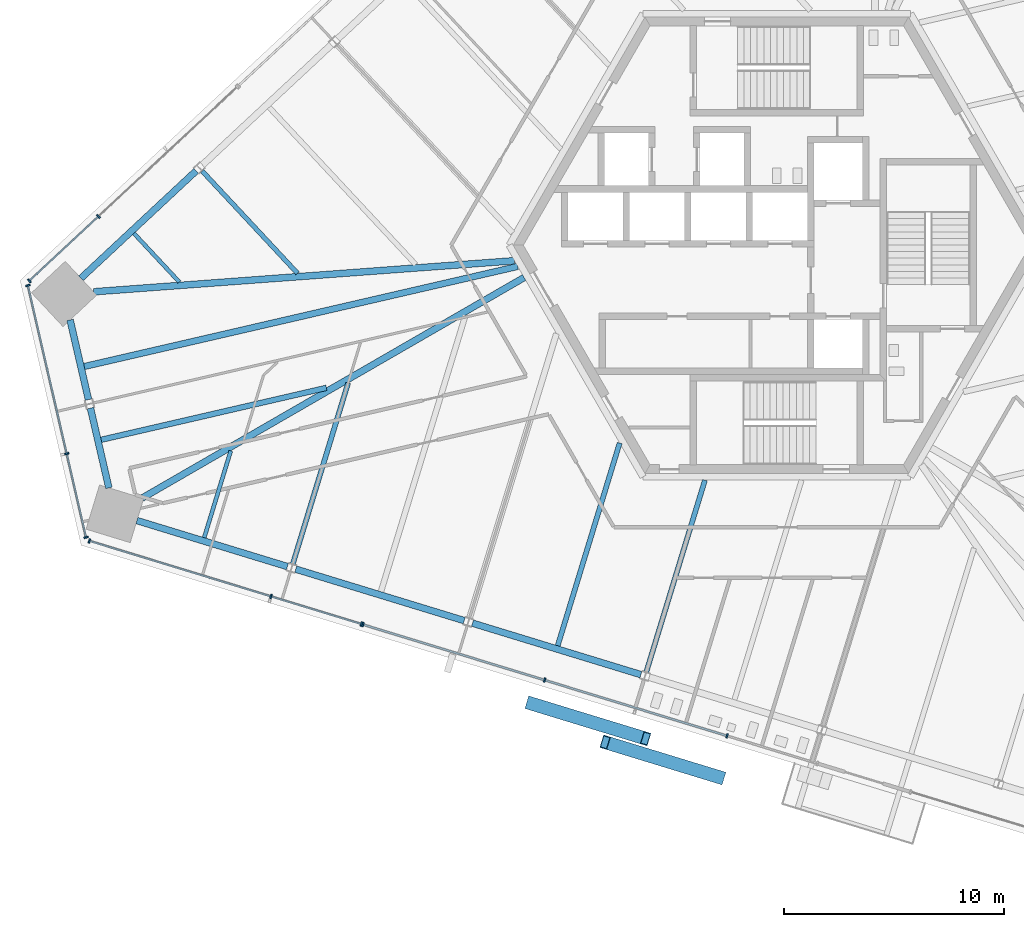
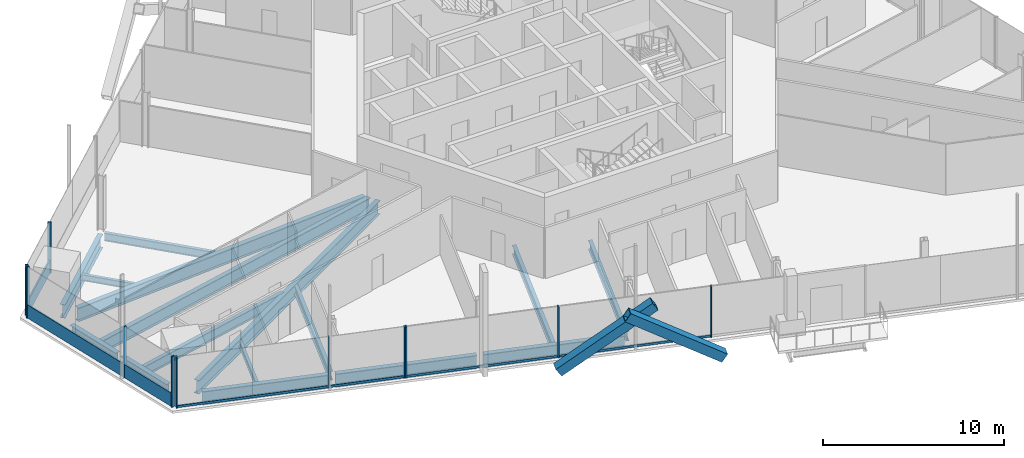
# One storey, part 4 of 24: 20 members, 16 beams, 4 elements without a shape of their own.
"""IFC4 building model written with IfcOpenShell, lengths in metres."""

from ifc_helpers import new_model, si_unit, direction, frame, origin, origin_2d, place, context, subcontext, project, spatial, rectangle, hollow_rectangle, i_section, extrude, source, transform, mapped, material, material_profile, profile_set, type_object, element, aggregate, save


model = new_model("IFC4")

# Units and contexts
model_context = context("Model", 3, precision=1e-05, world=origin(), true_north=direction((0.0, 1.0)))
body_context = subcontext(model_context, "Body", "Model", "MODEL_VIEW")
ifc_project = project(units=[si_unit("LENGTHUNIT", "METRE"), si_unit("AREAUNIT", "SQUARE_METRE"), si_unit("VOLUMEUNIT", "CUBIC_METRE"), si_unit("PLANEANGLEUNIT", "RADIAN"), si_unit("MASSUNIT", "GRAM", prefix="KILO")], contexts=[model_context])

# Site, building, storey
site_placement = place(None, origin())
site = spatial("IfcSite", under=ifc_project, at=site_placement, CompositionType="ELEMENT")
building_placement = place(site_placement, origin())
building = spatial("IfcBuilding", under=site, at=building_placement, Name="Triune Harvest Tower", CompositionType="ELEMENT")
storey_placement = place(building_placement, frame((0.0, 0.0, 112.699951171875)))
storey = spatial("IfcBuildingStorey", under=building, at=storey_placement, Name="L28", CompositionType="ELEMENT", Elevation=112.699951171875)

# Beams
ifc_material_1 = material(Name="Steel ASTM A992 Gr 50", Category="steel")
ifc_material_profile_1 = material_profile(ifc_material_1, i_section(OverallWidth=0.3046875, OverallDepth=0.914306640625, WebThickness=0.0166015625, FlangeThickness=0.02587890625, at=origin_2d()), Name="W36x160")
ifc_profile_set_1 = profile_set([ifc_material_profile_1], Name="Steel ASTM A992 Gr 50")
beam_type_1 = type_object("IfcBeamType", Name="SB-1 Spandrel beam W36x160", PredefinedType="SPANDREL", material=ifc_profile_set_1)
shared_shape_1 = source(origin(), body_context, "Body", "SweptSolid", [
    extrude(i_section(OverallWidth=0.3046875, OverallDepth=0.914306640625, WebThickness=0.0166015625, FlangeThickness=0.02587890625, at=origin_2d()), origin(), (0.0, 0.0, 1.0), 8.018310546875),
])
beam_1_placement = place(storey_placement, frame((-21.8994140625, -14.747314453125, -0.6171875), z_axis=(0.956308069579, -0.292360866152, 0.0), x_axis=(0.292360866152, 0.956308069579, 0.0)))
element("IfcBeam", 1, at=beam_1_placement, inside=storey, type_object=beam_type_1, Name="beam/L28/SB18", PredefinedType="SPANDREL", context=body_context, shape_type="MappedRepresentation", body=[
    mapped(shared_shape_1, transform((0.0, 0.0, 0.0), scale=1.0)),
])
shared_shape_2 = source(origin(), body_context, "Body", "SweptSolid", [
    extrude(i_section(OverallWidth=0.3046875, OverallDepth=0.914306640625, WebThickness=0.0166015625, FlangeThickness=0.02587890625, at=origin_2d()), origin(), (0.0, 0.0, 1.0), 8.01806640625),
])
beam_2_placement = place(storey_placement, frame((-13.8525390625, -17.207275390625, -0.6171875), z_axis=(0.956305466934, -0.292369379231, 0.0), x_axis=(0.292369379231, 0.956305466934, 0.0)))
element("IfcBeam", 2, at=beam_2_placement, inside=storey, type_object=beam_type_1, Name="beam/L28/SB19", PredefinedType="SPANDREL", context=body_context, shape_type="MappedRepresentation", body=[
    mapped(shared_shape_2, transform((0.0, 0.0, 0.0), scale=1.0)),
])
shared_shape_3 = source(origin(), body_context, "Body", "SweptSolid", [
    extrude(i_section(OverallWidth=0.3046875, OverallDepth=0.914306640625, WebThickness=0.0166015625, FlangeThickness=0.02587890625, at=origin_2d()), origin(), (0.0, 0.0, 1.0), 7.16650390625),
])
for number, where, z_axis, x_axis, name in (
    (3, (-26.4375, 3.384521484375, -0.6171875), (-0.731357675554, -0.681994098515, 0.0), (0.681994098515, -0.731357675554, 0.0), "beam/L28/SB14"),
    (4, (-29.131591796875, -12.5361328125, -0.6171875), (0.956306336732, -0.292366534211, 0.0), (0.292366534211, 0.956306336732, 0.0), "beam/L28/SB17"),
):
    element("IfcBeam", number, at=place(storey_placement, frame(where, z_axis=z_axis, x_axis=x_axis)), inside=storey, type_object=beam_type_1, Name=name, PredefinedType="SPANDREL", context=body_context, shape_type="MappedRepresentation", body=[
        mapped(shared_shape_3, transform((0.0, 0.0, 0.0), scale=1.0)),
    ])
shared_shape_4 = source(origin(), body_context, "Body", "SweptSolid", [
    extrude(i_section(OverallWidth=0.3046875, OverallDepth=0.914306640625, WebThickness=0.0166015625, FlangeThickness=0.02587890625, at=origin_2d()), origin(), (0.0, 0.0, 1.0), 3.72607421875),
])
for number, where, z_axis, x_axis, name in (
    (5, (-32.173828125, -3.400390625, -0.6171875), (0.224936070713, -0.974373523908, 0.0), (0.974373523908, 0.224936070713, 0.0), "beam/L28/SB15"),
    (6, (-31.24658203125, -7.4169921875, -0.6171875), (0.224998275907, -0.974359161623, 0.0), (0.974359161623, 0.224998275907, 0.0), "beam/L28/SB16"),
):
    element("IfcBeam", number, at=place(storey_placement, frame(where, z_axis=z_axis, x_axis=x_axis)), inside=storey, type_object=beam_type_1, Name=name, PredefinedType="SPANDREL", context=body_context, shape_type="MappedRepresentation", body=[
        mapped(shared_shape_4, transform((0.0, 0.0, 0.0), scale=1.0)),
    ])
ifc_material_2 = material(Name="Steel ASTM A992 Gr 50", Category="steel")
ifc_material_profile_2 = material_profile(ifc_material_2, i_section(OverallWidth=0.307373046875, OverallDepth=0.922119140625, WebThickness=0.018310546875, FlangeThickness=0.030029296875, at=origin_2d()), Name="W36x182")
ifc_profile_set_2 = profile_set([ifc_material_profile_2], Name="Steel ASTM A992 Gr 50")
beam_type_2 = type_object("IfcBeamType", Name="HG-2 Hip girder W36x182", PredefinedType="BEAM", material=ifc_profile_set_2)
shared_shape_5 = source(origin(), body_context, "Body", "SweptSolid", [
    extrude(i_section(OverallWidth=0.307373046875, OverallDepth=0.922119140625, WebThickness=0.018310546875, FlangeThickness=0.030029296875, at=origin_2d()), origin(), (0.0, 0.0, 1.0), 19.2109375),
])
beam_3_placement = place(storey_placement, frame((-31.103515625, -2.119873046875, -0.620849609375), z_axis=(0.997285410262, 0.07363294425, 0.0), x_axis=(-0.07363294425, 0.997285410262, 0.0)))
element("IfcBeam", 7, at=beam_3_placement, inside=storey, type_object=beam_type_2, Name="beam/L28/HG5", PredefinedType="BEAM", context=body_context, shape_type="MappedRepresentation", body=[
    mapped(shared_shape_5, transform((0.0, 0.0, 0.0), scale=1.0)),
])
shared_shape_6 = source(origin(), body_context, "Body", "SweptSolid", [
    extrude(i_section(OverallWidth=0.307373046875, OverallDepth=0.922119140625, WebThickness=0.018310546875, FlangeThickness=0.030029296875, at=origin_2d()), origin(), (0.0, 0.0, 1.0), 20.080078125),
])
beam_4_placement = place(storey_placement, frame((-28.892333984375, -11.51123046875, -0.620849609375), z_axis=(0.866025837197, 0.499999249307, 0.0), x_axis=(-0.499999249307, 0.866025837197, 0.0)))
element("IfcBeam", 8, at=beam_4_placement, inside=storey, type_object=beam_type_2, Name="beam/L28/HG6", PredefinedType="BEAM", context=body_context, shape_type="MappedRepresentation", body=[
    mapped(shared_shape_6, transform((0.0, 0.0, 0.0), scale=1.0)),
])
ifc_material_3 = material(Name="Steel ASTM A992 Gr 50", Category="steel")
ifc_material_profile_3 = material_profile(ifc_material_3, i_section(OverallWidth=0.22900390625, OverallDepth=0.612060546875, WebThickness=0.011962890625, FlangeThickness=0.01953125, at=origin_2d()), Name="W24x84")
ifc_profile_set_3 = profile_set([ifc_material_profile_3], Name="Steel ASTM A992 Gr 50")
beam_type_3 = type_object("IfcBeamType", Name="JT-3 Floor joist W24x84", PredefinedType="JOIST", material=ifc_profile_set_3)
shared_shape_7 = source(origin(), body_context, "Body", "SweptSolid", [
    extrude(i_section(OverallWidth=0.22900390625, OverallDepth=0.612060546875, WebThickness=0.011962890625, FlangeThickness=0.01953125, at=origin_2d()), origin(), (0.0, 0.0, 1.0), 9.129150390625),
])
beam_5_placement = place(storey_placement, frame((-5.939453125, -19.42724609375, -0.466064453125), z_axis=(0.292356457167, 0.956309417476, 0.0), x_axis=(-0.956309417476, 0.292356457167, 0.0)))
element("IfcBeam", 9, at=beam_5_placement, inside=storey, type_object=beam_type_3, Name="beam/L28/JT32", PredefinedType="JOIST", context=body_context, shape_type="MappedRepresentation", body=[
    mapped(shared_shape_7, transform((0.0, 0.0, 0.0), scale=1.0)),
])
ifc_material_4 = material(Name="Steel ASTM A992 Gr 50", Category="steel")
ifc_material_profile_4 = material_profile(ifc_material_4, i_section(OverallWidth=0.180908203125, OverallDepth=0.41650390625, WebThickness=0.010986328125, FlangeThickness=0.01806640625, at=origin_2d()), Name="W16x57")
ifc_profile_set_4 = profile_set([ifc_material_profile_4], Name="Steel ASTM A992 Gr 50")
beam_type_4 = type_object("IfcBeamType", Name="JT-1 Floor joist W16x57", PredefinedType="JOIST", material=ifc_profile_set_4)
shared_shape_8 = source(origin(), body_context, "Body", "SweptSolid", [
    extrude(i_section(OverallWidth=0.180908203125, OverallDepth=0.41650390625, WebThickness=0.010986328125, FlangeThickness=0.01806640625, at=origin_2d()), origin(), (0.0, 0.0, 1.0), 3.0302734375),
])
beam_6_placement = place(storey_placement, frame((-29.265625, 0.538818359375, -0.3681640625), z_axis=(0.681982331581, -0.731368648091, 0.0), x_axis=(0.731368648091, 0.681982331581, 0.0)))
element("IfcBeam", 10, at=beam_6_placement, inside=storey, type_object=beam_type_4, Name="beam/L28/JT24", PredefinedType="JOIST", context=body_context, shape_type="MappedRepresentation", body=[
    mapped(shared_shape_8, transform((0.0, 0.0, 0.0), scale=1.0)),
])
shared_shape_9 = source(origin(), body_context, "Body", "SweptSolid", [
    extrude(i_section(OverallWidth=0.180908203125, OverallDepth=0.41650390625, WebThickness=0.010986328125, FlangeThickness=0.01806640625, at=origin_2d()), origin(), (0.0, 0.0, 1.0), 4.134033203125),
])
beam_7_placement = place(storey_placement, frame((-26.067626953125, -13.3134765625, -0.3681640625), z_axis=(0.29238807321, 0.956299751461, 0.0), x_axis=(-0.956299751461, 0.29238807321, 0.0)))
element("IfcBeam", 11, at=beam_7_placement, inside=storey, type_object=beam_type_4, Name="beam/L28/JT27", PredefinedType="JOIST", context=body_context, shape_type="MappedRepresentation", body=[
    mapped(shared_shape_9, transform((0.0, 0.0, 0.0), scale=1.0)),
])
shared_shape_10 = source(origin(), body_context, "Body", "SweptSolid", [
    extrude(i_section(OverallWidth=0.22900390625, OverallDepth=0.612060546875, WebThickness=0.011962890625, FlangeThickness=0.01953125, at=origin_2d()), origin(), (0.0, 0.0, 1.0), 8.607666015625),
])
beam_8_placement = place(storey_placement, frame((-22.033203125, -14.507080078125, -0.466064453125), z_axis=(0.29237129862, 0.956304880121, 0.0), x_axis=(-0.956304880121, 0.29237129862, 0.0)))
element("IfcBeam", 12, at=beam_8_placement, inside=storey, type_object=beam_type_3, Name="beam/L28/JT28", PredefinedType="JOIST", context=body_context, shape_type="MappedRepresentation", body=[
    mapped(shared_shape_10, transform((0.0, 0.0, 0.0), scale=1.0)),
])
shared_shape_11 = source(origin(), body_context, "Body", "SweptSolid", [
    extrude(i_section(OverallWidth=0.22900390625, OverallDepth=0.612060546875, WebThickness=0.011962890625, FlangeThickness=0.01953125, at=origin_2d()), origin(), (0.0, 0.0, 1.0), 9.64990234375),
])
beam_9_placement = place(storey_placement, frame((-9.97412109375, -18.233642578125, -0.466064453125), z_axis=(0.292387575984, 0.956299903488, 0.0), x_axis=(-0.956299903488, 0.292387575984, 0.0)))
element("IfcBeam", 13, at=beam_9_placement, inside=storey, type_object=beam_type_3, Name="beam/L28/JT31", PredefinedType="JOIST", context=body_context, shape_type="MappedRepresentation", body=[
    mapped(shared_shape_11, transform((0.0, 0.0, 0.0), scale=1.0)),
])
ifc_material_5 = material(Name="Steel ASTM A992 Gr 50", Category="steel")
ifc_material_profile_5 = material_profile(ifc_material_5, i_section(OverallWidth=0.2099609375, OverallDepth=0.535888671875, WebThickness=0.010986328125, FlangeThickness=0.017333984375, at=origin_2d()), Name="W21x68")
ifc_profile_set_5 = profile_set([ifc_material_profile_5], Name="Steel ASTM A992 Gr 50")
beam_type_5 = type_object("IfcBeamType", Name="JT-2 Floor joist W21x68", PredefinedType="JOIST", material=ifc_profile_set_5)
shared_shape_12 = source(origin(), body_context, "Body", "SweptSolid", [
    extrude(i_section(OverallWidth=0.2099609375, OverallDepth=0.535888671875, WebThickness=0.010986328125, FlangeThickness=0.017333984375, at=origin_2d()), origin(), (0.0, 0.0, 1.0), 6.3720703125),
])
beam_10_placement = place(storey_placement, frame((-26.16259765625, 3.380126953125, -0.427978515625), z_axis=(0.682001475832, -0.731350796105, 0.0), x_axis=(0.731350796105, 0.682001475832, 0.0)))
element("IfcBeam", 14, at=beam_10_placement, inside=storey, type_object=beam_type_5, Name="beam/L28/JT23", PredefinedType="JOIST", context=body_context, shape_type="MappedRepresentation", body=[
    mapped(shared_shape_12, transform((0.0, 0.0, 0.0), scale=1.0)),
])
ifc_material_6 = material(Name="Steel ASTM A992 Gr 50", Category="steel")
ifc_material_profile_6 = material_profile(ifc_material_6, i_section(OverallWidth=0.2919921875, OverallDepth=0.8583984375, WebThickness=0.01708984375, FlangeThickness=0.031005859375, at=origin_2d()), Name="W33x169")
ifc_profile_set_6 = profile_set([ifc_material_profile_6], Name="Steel ASTM A992 Gr 50")
beam_type_6 = type_object("IfcBeamType", Name="JT-7 Floor joist W33x169", PredefinedType="JOIST", material=ifc_profile_set_6)
shared_shape_13 = source(origin(), body_context, "Body", "SweptSolid", [
    extrude(i_section(OverallWidth=0.2919921875, OverallDepth=0.8583984375, WebThickness=0.01708984375, FlangeThickness=0.031005859375, at=origin_2d()), origin(), (0.0, 0.0, 1.0), 20.25244140625),
])
beam_11_placement = place(storey_placement, frame((-31.52783203125, -5.521484375, -0.58935546875), z_axis=(0.974371687507, 0.224944025448, 0.0), x_axis=(-0.224944025448, 0.974371687507, 0.0)))
element("IfcBeam", 15, at=beam_11_placement, inside=storey, type_object=beam_type_6, Name="beam/L28/JT25", PredefinedType="JOIST", context=body_context, shape_type="MappedRepresentation", body=[
    mapped(shared_shape_13, transform((0.0, 0.0, 0.0), scale=1.0)),
])
ifc_material_7 = material(Name="Steel ASTM A992 Gr 50", Category="steel")
ifc_material_profile_7 = material_profile(ifc_material_7, i_section(OverallWidth=0.253662109375, OverallDepth=0.683349609375, WebThickness=0.012451171875, FlangeThickness=0.01904296875, at=origin_2d()), Name="W27x94")
ifc_profile_set_7 = profile_set([ifc_material_profile_7], Name="Steel ASTM A992 Gr 50")
beam_type_7 = type_object("IfcBeamType", Name="JT-4 Floor joist W27x94", PredefinedType="JOIST", material=ifc_profile_set_7)
shared_shape_14 = source(origin(), body_context, "Body", "SweptSolid", [
    extrude(i_section(OverallWidth=0.253662109375, OverallDepth=0.683349609375, WebThickness=0.012451171875, FlangeThickness=0.01904296875, at=origin_2d()), origin(), (0.0, 0.0, 1.0), 10.52294921875),
])
beam_12_placement = place(storey_placement, frame((-30.75732421875, -8.858154296875, -0.50146484375), z_axis=(0.974368902387, 0.224956089186, 0.0), x_axis=(-0.224956089186, 0.974368902387, 0.0)))
element("IfcBeam", 16, at=beam_12_placement, inside=storey, type_object=beam_type_7, Name="beam/L28/JT26", PredefinedType="JOIST", context=body_context, shape_type="MappedRepresentation", body=[
    mapped(shared_shape_14, transform((0.0, 0.0, 0.0), scale=1.0)),
])

# Members
ifc_material_8 = material(Name="Steel ASTM A572 Gr 50", Category="steel")
ifc_material_profile_8 = material_profile(ifc_material_8, hollow_rectangle(XDim=0.60009765625, YDim=0.60009765625, WallThickness=0.0400390625, at=origin_2d()), Name="Box 600x600x40")
ifc_profile_set_8 = profile_set([ifc_material_profile_8], Name="Steel ASTM A572 Gr 50")
member_type_1 = type_object("IfcMemberType", Name="BR-2 Brace Box 600x600x40", PredefinedType="BRACE", material=ifc_profile_set_8)
shared_shape_15 = source(origin(), body_context, "Body", "SweptSolid", [
    extrude(hollow_rectangle(XDim=0.60009765625, YDim=0.60009765625, WallThickness=0.0400390625, at=origin_2d()), origin(), (0.0, 0.0, 1.0), 6.56640625),
])
for number, where, z_axis, x_axis, name in (
    (17, (-11.22216796875, -20.8544921875, 0.0), (0.799775179898, -0.244494518293, 0.548253674993), (0.292348421026, 0.956311874193, 0.0), "brace/B3-F5/d1/5"),
    (18, (-2.562744140625, -24.23388671875, 0.0), (-0.799775179898, 0.244494518293, 0.548253674993), (-0.292348421026, -0.956311874193, 0.0), "brace/B3-F5/d2/5"),
):
    element("IfcMember", number, at=place(storey_placement, frame(where, z_axis=z_axis, x_axis=x_axis)), inside=storey, type_object=member_type_1, Name=name, PredefinedType="BRACE", context=body_context, shape_type="MappedRepresentation", body=[
        mapped(shared_shape_15, transform((0.0, 0.0, 0.0), scale=1.0)),
    ])

# Curtain wall, members
ifc_material_9 = material(Name="Aluminium bronze anodised", Category="aluminium")
curtain_wall_type_1 = type_object("IfcCurtainWallType", Name="CW-1 Tower stick curtain wall", PredefinedType="NOTDEFINED", material=ifc_material_9)
curtain_wall_1_placement = place(storey_placement, origin())
curtain_wall_1 = element("IfcCurtainWall", 19, at=curtain_wall_1_placement, inside=storey, type_object=curtain_wall_type_1, Name="CW-1 B3-F3 L28 run 2001")
ifc_material_10 = material(Name="Aluminium bronze anodised", Category="aluminium")
ifc_material_profile_9 = material_profile(ifc_material_10, rectangle(XDim=0.199951171875, YDim=0.074951171875, at=origin_2d()), Name="MU-1 mullion 75 x 200")
ifc_profile_set_9 = profile_set([ifc_material_profile_9], Name="Aluminium bronze anodised")
member_type_2 = type_object("IfcMemberType", Name="MU-1 mullion 75 x 200", PredefinedType="MULLION", material=ifc_profile_set_9)
shared_shape_16 = source(origin(), body_context, "Body", "SweptSolid", [
    extrude(rectangle(XDim=0.199951171875, YDim=0.074951171875, at=origin_2d()), origin(), (0.0, 0.0, 1.0), 3.43994140625),
])
member_1_placement = place(storey_placement, frame((-30.884765625, 1.313720703125, 0.0), z_axis=(0.0, 0.0, 1.0), x_axis=(0.681998456537, -0.731353611655, 0.0)))
member_1 = element("IfcMember", 20, at=member_1_placement, type_object=member_type_2, Name="CW-1 mullion B3-F3 2001.3", PredefinedType="MULLION", context=body_context, shape_type="MappedRepresentation", body=[
    mapped(shared_shape_16, transform((0.0, 0.0, 0.0), scale=1.0)),
])
member_2_placement = place(storey_placement, frame((-34.0302734375, -1.619384765625, 0.0), z_axis=(0.0, 0.0, 1.0), x_axis=(0.681998456537, -0.731353611655, 0.0)))
member_2 = element("IfcMember", 21, at=member_2_placement, type_object=member_type_2, Name="CW-1 mullion B3-F3 2001.4", PredefinedType="MULLION", context=body_context, shape_type="MappedRepresentation", body=[
    mapped(shared_shape_16, transform((0.0, 0.0, 0.0), scale=1.0)),
])

curtain_wall_2_placement = place(storey_placement, origin())
curtain_wall_2 = element("IfcCurtainWall", 22, at=curtain_wall_2_placement, inside=storey, type_object=curtain_wall_type_1, Name="CW-1 B3-F4 L28 run 1")
member_3_placement = place(storey_placement, frame((-34.0947265625, -1.83056640625, 0.0), z_axis=(0.0, 0.0, 1.0), x_axis=(0.974371012181, 0.224946950683, 0.0)))
member_3 = element("IfcMember", 23, at=member_3_placement, type_object=member_type_2, Name="CW-1 mullion B3-F4 1.1", PredefinedType="MULLION", context=body_context, shape_type="MappedRepresentation", body=[
    mapped(shared_shape_16, transform((0.0, 0.0, 0.0), scale=1.0)),
])
member_4_placement = place(storey_placement, frame((-32.32666015625, -9.489501953125, 0.0), z_axis=(0.0, 0.0, 1.0), x_axis=(0.974371012181, 0.224946950683, 0.0)))
member_4 = element("IfcMember", 24, at=member_4_placement, type_object=member_type_2, Name="CW-1 mullion B3-F4 1.3", PredefinedType="MULLION", context=body_context, shape_type="MappedRepresentation", body=[
    mapped(shared_shape_16, transform((0.0, 0.0, 0.0), scale=1.0)),
])
member_5_placement = place(storey_placement, frame((-31.44677734375, -13.30078125, 0.0), z_axis=(0.0, 0.0, 1.0), x_axis=(0.974371012181, 0.224946950683, 0.0)))
member_5 = element("IfcMember", 25, at=member_5_placement, type_object=member_type_2, Name="CW-1 mullion B3-F4 1.4", PredefinedType="MULLION", context=body_context, shape_type="MappedRepresentation", body=[
    mapped(shared_shape_16, transform((0.0, 0.0, 0.0), scale=1.0)),
])

ifc_material_11 = material(Name="Aluminium bronze anodised", Category="aluminium")
curtain_wall_type_2 = type_object("IfcCurtainWallType", Name="CW-6 Balcony window wall", PredefinedType="NOTDEFINED", material=ifc_material_11)
curtain_wall_3_placement = place(storey_placement, origin())
curtain_wall_3 = element("IfcCurtainWall", 26, at=curtain_wall_3_placement, inside=storey, type_object=curtain_wall_type_2, Name="CW-6 B3-F5 L28 run 1")
ifc_material_12 = material(Name="Aluminium bronze anodised", Category="aluminium")
ifc_material_profile_10 = material_profile(ifc_material_12, rectangle(XDim=0.199951171875, YDim=0.074951171875, at=origin_2d()), Name="MU-6 mullion 75 x 200")
ifc_profile_set_10 = profile_set([ifc_material_profile_10], Name="Aluminium bronze anodised")
member_type_3 = type_object("IfcMemberType", Name="MU-6 mullion 75 x 200", PredefinedType="MULLION", material=ifc_profile_set_10)
shared_shape_17 = source(origin(), body_context, "Body", "SweptSolid", [
    extrude(rectangle(XDim=0.199951171875, YDim=0.074951171875, at=origin_2d()), origin(), (0.0, 0.0, 1.0), 3.43994140625),
])
member_6_placement = place(storey_placement, frame((-31.296142578125, -13.462158203125, 0.0), z_axis=(0.0, 0.0, 1.0), x_axis=(0.292375829067, 0.956303495015, 0.0)))
member_6 = element("IfcMember", 27, at=member_6_placement, type_object=member_type_3, Name="CW-6 mullion B3-F5 1.1", PredefinedType="MULLION", context=body_context, shape_type="MappedRepresentation", body=[
    mapped(shared_shape_17, transform((0.0, 0.0, 0.0), scale=1.0)),
])
member_7_placement = place(storey_placement, frame((-23.02734375, -15.990478515625, 0.0), z_axis=(0.0, 0.0, 1.0), x_axis=(0.292375829067, 0.956303495015, 0.0)))
member_7 = element("IfcMember", 28, at=member_7_placement, type_object=member_type_3, Name="CW-6 mullion B3-F5 1.3", PredefinedType="MULLION", context=body_context, shape_type="MappedRepresentation", body=[
    mapped(shared_shape_17, transform((0.0, 0.0, 0.0), scale=1.0)),
])
member_8_placement = place(storey_placement, frame((-18.91064453125, -17.2490234375, 0.0), z_axis=(0.0, 0.0, 1.0), x_axis=(0.292375829067, 0.956303495015, 0.0)))
member_8 = element("IfcMember", 29, at=member_8_placement, type_object=member_type_3, Name="CW-6 mullion B3-F5 1.4", PredefinedType="MULLION", context=body_context, shape_type="MappedRepresentation", body=[
    mapped(shared_shape_17, transform((0.0, 0.0, 0.0), scale=1.0)),
])

ifc_material_13 = material(Name="Aluminium bronze anodised", Category="aluminium")
curtain_wall_type_3 = type_object("IfcCurtainWallType", Name="CW-10 Balcony window wall with insulated spandrel infill", PredefinedType="NOTDEFINED", material=ifc_material_13)
curtain_wall_4_placement = place(storey_placement, origin())
curtain_wall_4 = element("IfcCurtainWall", 30, at=curtain_wall_4_placement, inside=storey, type_object=curtain_wall_type_3, Name="CW-10 B3-F5 L28 run 1001")
member_9_placement = place(storey_placement, frame((-18.839111328125, -17.270751953125, 0.0), z_axis=(0.0, 0.0, 1.0), x_axis=(0.292371984425, 0.956304670449, 0.0)))
member_9 = element("IfcMember", 31, at=member_9_placement, type_object=member_type_3, Name="CW-10 mullion B3-F5 1001.1", PredefinedType="MULLION", context=body_context, shape_type="MappedRepresentation", body=[
    mapped(shared_shape_17, transform((0.0, 0.0, 0.0), scale=1.0)),
])
member_10_placement = place(storey_placement, frame((-10.570068359375, -19.798828125, 0.0), z_axis=(0.0, 0.0, 1.0), x_axis=(0.292371984425, 0.956304670449, 0.0)))
member_10 = element("IfcMember", 32, at=member_10_placement, type_object=member_type_3, Name="CW-10 mullion B3-F5 1001.3", PredefinedType="MULLION", context=body_context, shape_type="MappedRepresentation", body=[
    mapped(shared_shape_17, transform((0.0, 0.0, 0.0), scale=1.0)),
])
member_11_placement = place(storey_placement, frame((-2.265380859375, -22.337890625, 0.0), z_axis=(0.0, 0.0, 1.0), x_axis=(0.292371984425, 0.956304670449, 0.0)))
member_11 = element("IfcMember", 33, at=member_11_placement, type_object=member_type_3, Name="CW-10 mullion B3-F5 1001.5", PredefinedType="MULLION", context=body_context, shape_type="MappedRepresentation", body=[
    mapped(shared_shape_17, transform((0.0, 0.0, 0.0), scale=1.0)),
])

# Member
ifc_material_14 = material(Name="Aluminium bronze anodised", Category="aluminium")
ifc_material_profile_11 = material_profile(ifc_material_14, rectangle(XDim=0.090087890625, YDim=0.89990234375, at=origin_2d()), Name="TR-1 transom 90 x 900")
ifc_profile_set_11 = profile_set([ifc_material_profile_11], Name="Aluminium bronze anodised")
member_type_4 = type_object("IfcMemberType", Name="TR-1 transom 90 x 900", PredefinedType="USERDEFINED", material=ifc_profile_set_11)
shared_shape_18 = source(origin(), body_context, "Body", "SweptSolid", [
    extrude(rectangle(XDim=0.090087890625, YDim=0.89990234375, at=origin_2d()), origin(), (0.0, 0.0, 1.0), 3.83642578125),
])
member_12_placement = place(storey_placement, frame((-32.318115234375, -9.526123046875, 0.449951171875), z_axis=(0.224901336827, -0.974381541642, 0.0), x_axis=(0.974381541642, 0.224901336827, 0.0)))
member_12 = element("IfcMember", 34, at=member_12_placement, type_object=member_type_4, Name="CW-1 transom B3-F4 1.2", ObjectType="TRANSOM", PredefinedType="USERDEFINED", context=body_context, shape_type="MappedRepresentation", body=[
    mapped(shared_shape_18, transform((0.0, 0.0, 0.0), scale=1.0)),
])

shared_shape_19 = source(origin(), body_context, "Body", "SweptSolid", [
    extrude(rectangle(XDim=0.090087890625, YDim=0.89990234375, at=origin_2d()), origin(), (0.0, 0.0, 1.0), 7.785400390625),
])
member_13_placement = place(storey_placement, frame((-34.08642578125, -1.8671875, 0.449951171875), z_axis=(0.22493508372, -0.974373751756, 0.0), x_axis=(0.974373751756, 0.22493508372, 0.0)))
member_13 = element("IfcMember", 35, at=member_13_placement, type_object=member_type_4, Name="CW-1 transom B3-F4 1.1", ObjectType="TRANSOM", PredefinedType="USERDEFINED", context=body_context, shape_type="MappedRepresentation", body=[
    mapped(shared_shape_19, transform((0.0, 0.0, 0.0), scale=1.0)),
])

aggregate(curtain_wall_2, [member_3, member_4, member_5, member_13, member_12])

ifc_material_15 = material(Name="Aluminium bronze anodised", Category="aluminium")
ifc_material_profile_12 = material_profile(ifc_material_15, rectangle(XDim=0.090087890625, YDim=0.14990234375, at=origin_2d()), Name="TR-6 transom 90 x 150")
ifc_profile_set_12 = profile_set([ifc_material_profile_12], Name="Aluminium bronze anodised")
member_type_5 = type_object("IfcMemberType", Name="TR-6 transom 90 x 150", PredefinedType="USERDEFINED", material=ifc_profile_set_12)
shared_shape_20 = source(origin(), body_context, "Body", "SweptSolid", [
    extrude(rectangle(XDim=0.090087890625, YDim=0.14990234375, at=origin_2d()), origin(), (0.0, 0.0, 1.0), 8.57177734375),
])
member_14_placement = place(storey_placement, frame((-18.80322265625, -17.28173828125, 0.074951171875), z_axis=(0.956306455028, -0.292366147274, 0.0), x_axis=(0.292366147274, 0.956306455028, 0.0)))
member_14 = element("IfcMember", 36, at=member_14_placement, type_object=member_type_5, Name="CW-10 transom B3-F5 1001.1", ObjectType="TRANSOM", PredefinedType="USERDEFINED", context=body_context, shape_type="MappedRepresentation", body=[
    mapped(shared_shape_20, transform((0.0, 0.0, 0.0), scale=1.0)),
])

shared_shape_21 = source(origin(), body_context, "Body", "SweptSolid", [
    extrude(rectangle(XDim=0.090087890625, YDim=0.14990234375, at=origin_2d()), origin(), (0.0, 0.0, 1.0), 8.571533203125),
])
member_15_placement = place(storey_placement, frame((-31.26025390625, -13.47314453125, 0.074951171875), z_axis=(0.956296056371, -0.292400158293, 0.0), x_axis=(0.292400158293, 0.956296056371, 0.0)))
member_15 = element("IfcMember", 37, at=member_15_placement, type_object=member_type_5, Name="CW-6 transom B3-F5 1.1", ObjectType="TRANSOM", PredefinedType="USERDEFINED", context=body_context, shape_type="MappedRepresentation", body=[
    mapped(shared_shape_21, transform((0.0, 0.0, 0.0), scale=1.0)),
])

shared_shape_22 = source(origin(), body_context, "Body", "SweptSolid", [
    extrude(rectangle(XDim=0.090087890625, YDim=0.89990234375, at=origin_2d()), origin(), (0.0, 0.0, 1.0), 4.225830078125),
])
member_16_placement = place(storey_placement, frame((-30.912353515625, 1.2880859375, 0.449951171875), z_axis=(-0.731374117532, -0.68197646602, 0.0), x_axis=(0.68197646602, -0.731374117532, 0.0)))
member_16 = element("IfcMember", 38, at=member_16_placement, type_object=member_type_4, Name="CW-1 transom B3-F3 2001.2", ObjectType="TRANSOM", PredefinedType="USERDEFINED", context=body_context, shape_type="MappedRepresentation", body=[
    mapped(shared_shape_22, transform((0.0, 0.0, 0.0), scale=1.0)),
])

aggregate(curtain_wall_1, [member_1, member_2, member_16])

shared_shape_23 = source(origin(), body_context, "Body", "SweptSolid", [
    extrude(rectangle(XDim=0.090087890625, YDim=0.14990234375, at=origin_2d()), origin(), (0.0, 0.0, 1.0), 4.229736328125),
])
member_17_placement = place(storey_placement, frame((-22.991455078125, -16.001220703125, 0.074951171875), z_axis=(0.956294199883, -0.292406229877, 0.0), x_axis=(0.292406229877, 0.956294199883, 0.0)))
member_17 = element("IfcMember", 39, at=member_17_placement, type_object=member_type_5, Name="CW-6 transom B3-F5 1.2", ObjectType="TRANSOM", PredefinedType="USERDEFINED", context=body_context, shape_type="MappedRepresentation", body=[
    mapped(shared_shape_23, transform((0.0, 0.0, 0.0), scale=1.0)),
])

aggregate(curtain_wall_3, [member_6, member_7, member_8, member_15, member_17])

shared_shape_24 = source(origin(), body_context, "Body", "SweptSolid", [
    extrude(rectangle(XDim=0.090087890625, YDim=0.14990234375, at=origin_2d()), origin(), (0.0, 0.0, 1.0), 8.609130859375),
])
member_18_placement = place(storey_placement, frame((-10.5341796875, -19.809814453125, 0.074951171875), z_axis=(0.956303566935, -0.292375593829, 0.0), x_axis=(0.292375593829, 0.956303566935, 0.0)))
member_18 = element("IfcMember", 40, at=member_18_placement, type_object=member_type_5, Name="CW-10 transom B3-F5 1001.2", ObjectType="TRANSOM", PredefinedType="USERDEFINED", context=body_context, shape_type="MappedRepresentation", body=[
    mapped(shared_shape_24, transform((0.0, 0.0, 0.0), scale=1.0)),
])

aggregate(curtain_wall_4, [member_9, member_10, member_11, member_14, member_18])

save(model, "model.ifc")
